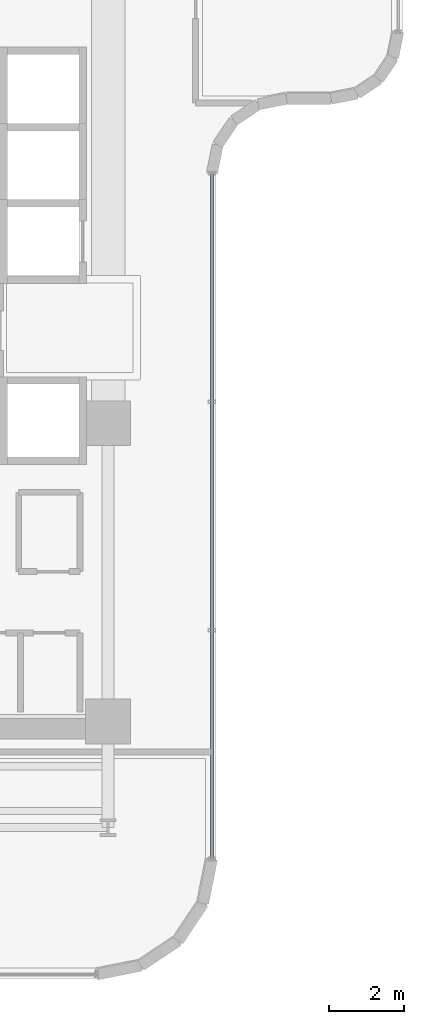
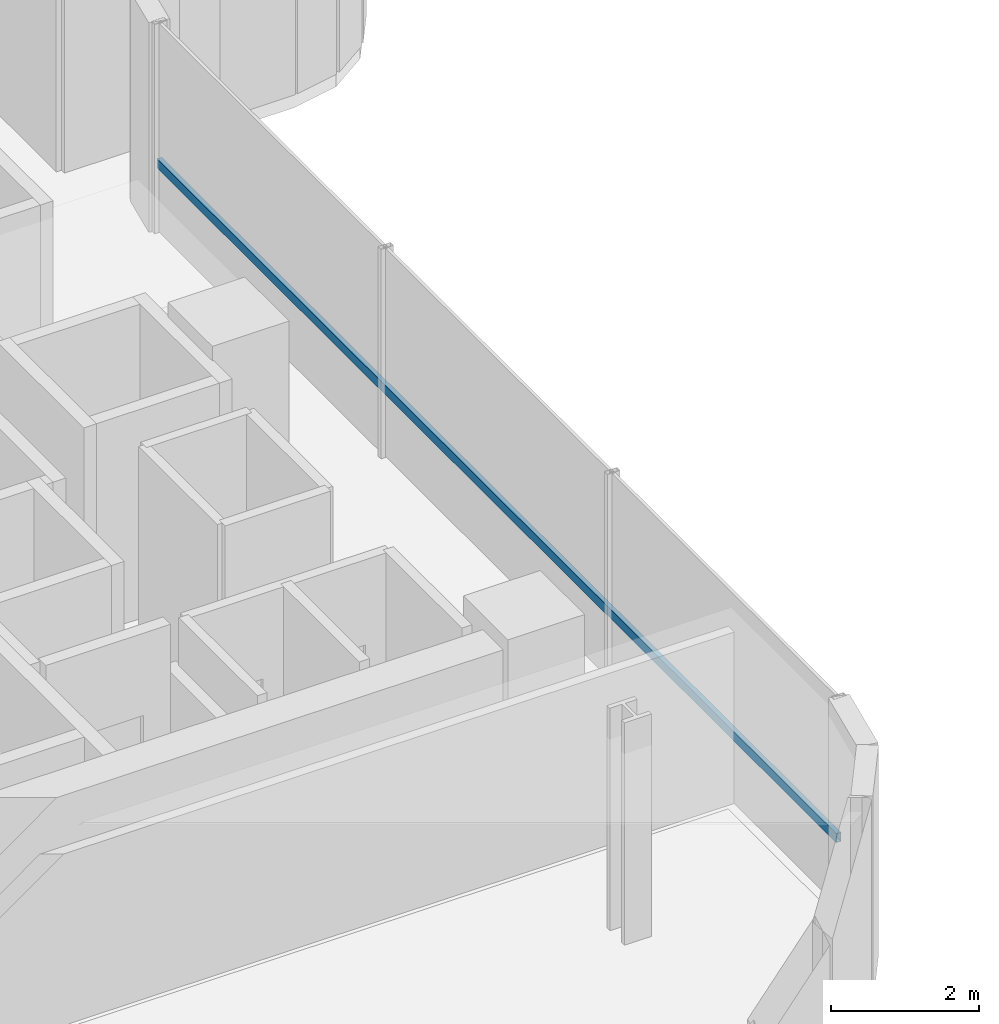
# One storey, part 7 of 36: 1 member, 1 element without a shape of its own.
"""IFC4 building model written with IfcOpenShell, lengths in metres."""

from ifc_helpers import new_model, si_unit, direction, frame, origin, origin_2d, place, context, subcontext, project, spatial, hollow_rectangle, extrude, source, transform, mapped, material, material_profile, profile_set, type_object, element, aggregate, save


model = new_model("IFC4")

# Units and contexts
model_context = context("Model", 3, precision=1e-05, world=origin(), true_north=direction((0.0, 1.0)))
body_context = subcontext(model_context, "Body", "Model", "MODEL_VIEW")
ifc_project = project(units=[si_unit("LENGTHUNIT", "METRE"), si_unit("AREAUNIT", "SQUARE_METRE"), si_unit("VOLUMEUNIT", "CUBIC_METRE"), si_unit("PLANEANGLEUNIT", "RADIAN"), si_unit("MASSUNIT", "GRAM", prefix="KILO")], contexts=[model_context])

# Site, building, storey
site_placement = place(None, origin())
site = spatial("IfcSite", under=ifc_project, at=site_placement, CompositionType="ELEMENT")
building_placement = place(site_placement, origin())
building = spatial("IfcBuilding", under=site, at=building_placement, Name="Valdorenza Pilgrim Sanctuary Tower", CompositionType="ELEMENT")
storey_placement = place(building_placement, frame((0.0, 0.0, 153.800048828125)))
storey = spatial("IfcBuildingStorey", under=building, at=storey_placement, Name="L39", CompositionType="ELEMENT", Elevation=153.800048828125)

# Curtain wall, member
ifc_material_1 = material(Name="Curtain-wall IGU glazing", Category="glass")
curtain_wall_type = type_object("IfcCurtainWallType", Name="CW-SYS-02", PredefinedType="NOTDEFINED", material=ifc_material_1)
curtain_wall_placement = place(storey_placement, origin())
curtain_wall = element("IfcCurtainWall", 1, at=curtain_wall_placement, inside=storey, type_object=curtain_wall_type, Name="L39 Curtain Wall CW-L39-1-21", PredefinedType="NOTDEFINED")
ifc_material_2 = material(Name="Anodised aluminium AW-6060", Category="aluminium")
ifc_material_profile = material_profile(ifc_material_2, hollow_rectangle(XDim=0.074951171875, YDim=0.14990234375, WallThickness=0.00390625, at=origin_2d()), Name="ALU-T 150x75x4")
ifc_profile_set = profile_set([ifc_material_profile], Name="Anodised aluminium AW-6060")
member_type = type_object("IfcMemberType", Name="CW-TRN-02", PredefinedType="USERDEFINED", material=ifc_profile_set)
shared_shape = source(origin(), body_context, "Body", "SweptSolid", [
    extrude(hollow_rectangle(XDim=0.074951171875, YDim=0.14990234375, WallThickness=0.00390625, at=origin_2d()), origin(), (0.0, 0.0, 1.0), 18.400146484375),
])
member_placement = place(storey_placement, frame((-9.610107421875, 4.11083984375, 1.119873046875), z_axis=(0.0, -1.0, 0.0), x_axis=(1.0, 0.0, 0.0)))
member = element("IfcMember", 2, at=member_placement, type_object=member_type, Name="CW-L39-1-21 Transom 1", ObjectType="TRANSOM", PredefinedType="USERDEFINED", context=body_context, shape_type="MappedRepresentation", body=[
    mapped(shared_shape, transform((0.0, 0.0, 0.0), x_axis=(1.0, 0.0, 0.0), y_axis=(0.0, 1.0, 0.0), z_axis=(0.0, 0.0, 1.0), scale=1.0)),
])
aggregate(curtain_wall, [member])

save(model, "model.ifc")
